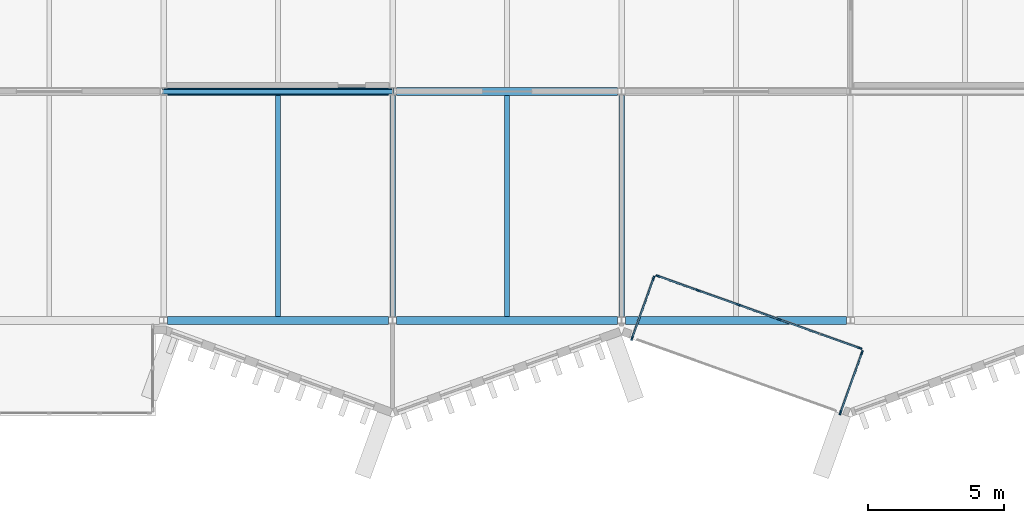
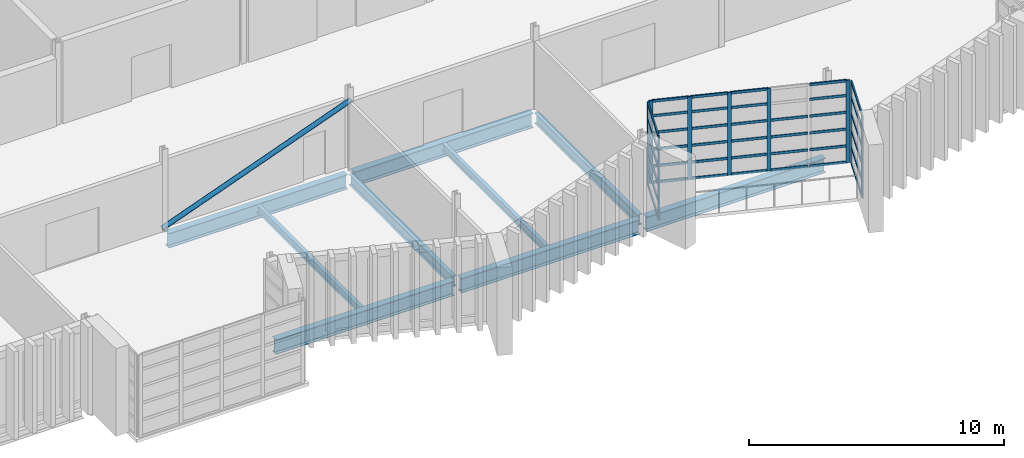
# One storey, part 28 of 88: 50 members, 9 beams, 3 elements without a shape of their own.
"""IFC4 building model written with IfcOpenShell, lengths in metres."""

from ifc_helpers import new_model, si_unit, direction, frame, origin, origin_2d, place, context, subcontext, project, spatial, rectangle, hollow_circle, i_section, extrude, material, layer, layer_set, material_profile, profile_set, type_object, element, aggregate, save


model = new_model("IFC4")

# Units and contexts
model_context = context("Model", 3, precision=1e-05, world=origin(), true_north=direction((0.0, 1.0)))
body_context = subcontext(model_context, "Body", "Model", "MODEL_VIEW")
ifc_project = project(units=[si_unit("LENGTHUNIT", "METRE"), si_unit("AREAUNIT", "SQUARE_METRE"), si_unit("VOLUMEUNIT", "CUBIC_METRE"), si_unit("PLANEANGLEUNIT", "RADIAN"), si_unit("MASSUNIT", "GRAM", prefix="KILO")], contexts=[model_context])

# Site, building, storey
site_placement = place(None, origin())
site = spatial("IfcSite", under=ifc_project, at=site_placement, CompositionType="ELEMENT")
building_placement = place(site_placement, origin())
building = spatial("IfcBuilding", under=site, at=building_placement, Name="Cresset Court Congress Hotel", CompositionType="ELEMENT")
storey_placement = place(building_placement, frame((0.0, 0.0, 14.39990234375)))
storey = spatial("IfcBuildingStorey", under=building, at=storey_placement, Name="L03", CompositionType="ELEMENT", Elevation=14.39990234375)

# Curtain wall, members
ifc_material_1 = material(Name="Aluminium frame with double glazing", Category="aluminium")
ifc_layer = layer(ifc_material_1, 0.199951171875)
ifc_layer_set = layer_set([ifc_layer], Name="Glazed box curtain wall 1680 module")
curtain_wall_type = type_object("IfcCurtainWallType", Name="Glazed box curtain wall 1680 module", PredefinedType="NOTDEFINED", material=ifc_layer_set)
curtain_wall_1_placement = place(storey_placement, origin())
curtain_wall_1 = element("IfcCurtainWall", 1, at=curtain_wall_1_placement, inside=storey, type_object=curtain_wall_type, Name="Glazed box S0317 front", PredefinedType="NOTDEFINED")
ifc_material_2 = material(Name="Aluminium", Category="aluminium")
ifc_material_profile_1 = material_profile(ifc_material_2, rectangle(XDim=0.06005859375, YDim=0.159912109375, at=origin_2d()), Name="Box mullion 60x160")
ifc_profile_set_1 = profile_set([ifc_material_profile_1], Name="Aluminium")
member_type_1 = type_object("IfcMemberType", Name="Box mullion 60x160", PredefinedType="MULLION", material=ifc_profile_set_1)
member_1_placement = place(storey_placement, frame((118.93994140625, 1.6259765625, 0.0), z_axis=(0.0, 0.0, 1.0), x_axis=(0.336336396981, 0.941741911601, 0.0)))
member_1 = element("IfcMember", 2, at=member_1_placement, type_object=member_type_1, Name="B-X1 mullion 1", PredefinedType="MULLION", context=body_context, shape_type="SweptSolid", body=[
    extrude(rectangle(XDim=0.06005859375, YDim=0.159912109375, at=origin_2d()), origin(), (0.0, 0.0, 1.0), 3.9501953125),
])
member_2_placement = place(storey_placement, frame((120.4033203125, 1.103515625, 0.0), z_axis=(0.0, 0.0, 1.0), x_axis=(0.336336396981, 0.941741911601, 0.0)))
member_2 = element("IfcMember", 3, at=member_2_placement, type_object=member_type_1, Name="B-X1 mullion 2", PredefinedType="MULLION", context=body_context, shape_type="SweptSolid", body=[
    extrude(rectangle(XDim=0.06005859375, YDim=0.159912109375, at=origin_2d()), origin(), (0.0, 0.0, 1.0), 3.9501953125),
])
member_3_placement = place(storey_placement, frame((121.89501953125, 0.57080078125, 0.0), z_axis=(0.0, 0.0, 1.0), x_axis=(0.336336396981, 0.941741911601, 0.0)))
member_3 = element("IfcMember", 4, at=member_3_placement, type_object=member_type_1, Name="B-X1 mullion 3", PredefinedType="MULLION", context=body_context, shape_type="SweptSolid", body=[
    extrude(rectangle(XDim=0.06005859375, YDim=0.159912109375, at=origin_2d()), origin(), (0.0, 0.0, 1.0), 3.9501953125),
])
member_4_placement = place(storey_placement, frame((123.38671875, 0.0380859375, 0.0), z_axis=(0.0, 0.0, 1.0), x_axis=(0.336336396981, 0.941741911601, 0.0)))
member_4 = element("IfcMember", 5, at=member_4_placement, type_object=member_type_1, Name="B-X1 mullion 4", PredefinedType="MULLION", context=body_context, shape_type="SweptSolid", body=[
    extrude(rectangle(XDim=0.06005859375, YDim=0.159912109375, at=origin_2d()), origin(), (0.0, 0.0, 1.0), 3.9501953125),
])
member_5_placement = place(storey_placement, frame((126.341796875, -1.017333984375, 0.0), z_axis=(0.0, 0.0, 1.0), x_axis=(0.336336396981, 0.941741911601, 0.0)))
member_5 = element("IfcMember", 6, at=member_5_placement, type_object=member_type_1, Name="B-X1 mullion 6", PredefinedType="MULLION", context=body_context, shape_type="SweptSolid", body=[
    extrude(rectangle(XDim=0.06005859375, YDim=0.159912109375, at=origin_2d()), origin(), (0.0, 0.0, 1.0), 3.9501953125),
])

curtain_wall_2_placement = place(storey_placement, origin())
curtain_wall_2 = element("IfcCurtainWall", 7, at=curtain_wall_2_placement, inside=storey, type_object=curtain_wall_type, Name="Glazed box S0317 side", PredefinedType="NOTDEFINED")
member_6_placement = place(storey_placement, frame((117.98681640625, -0.65625, 0.0), z_axis=(0.0, 0.0, 1.0), x_axis=(-0.941741911707, 0.336336396685, 0.0)))
member_6 = element("IfcMember", 8, at=member_6_placement, type_object=member_type_1, Name="B-X1 mullion 1", PredefinedType="MULLION", context=body_context, shape_type="SweptSolid", body=[
    extrude(rectangle(XDim=0.06005859375, YDim=0.159912109375, at=origin_2d()), origin(), (0.0, 0.0, 1.0), 3.9501953125),
])
member_7_placement = place(storey_placement, frame((118.77392578125, 1.54736328125, 0.0), z_axis=(0.0, 0.0, 1.0), x_axis=(-0.941741911707, 0.336336396685, 0.0)))
member_7 = element("IfcMember", 9, at=member_7_placement, type_object=member_type_1, Name="B-X1 mullion 2", PredefinedType="MULLION", context=body_context, shape_type="SweptSolid", body=[
    extrude(rectangle(XDim=0.06005859375, YDim=0.159912109375, at=origin_2d()), origin(), (0.0, 0.0, 1.0), 3.9501953125),
])

curtain_wall_3_placement = place(storey_placement, origin())
curtain_wall_3 = element("IfcCurtainWall", 10, at=curtain_wall_3_placement, inside=storey, type_object=curtain_wall_type, Name="Glazed box S0317 side", PredefinedType="NOTDEFINED")
member_8_placement = place(storey_placement, frame((125.63330078125, -3.38720703125, 0.0), z_axis=(0.0, 0.0, 1.0), x_axis=(-0.941741911578, 0.336336397047, 0.0)))
member_8 = element("IfcMember", 11, at=member_8_placement, type_object=member_type_1, Name="B-X1 mullion 1", PredefinedType="MULLION", context=body_context, shape_type="SweptSolid", body=[
    extrude(rectangle(XDim=0.06005859375, YDim=0.159912109375, at=origin_2d()), origin(), (0.0, 0.0, 1.0), 3.9501953125),
])
member_9_placement = place(storey_placement, frame((126.42041015625, -1.18359375, 0.0), z_axis=(0.0, 0.0, 1.0), x_axis=(-0.941741911578, 0.336336397047, 0.0)))
member_9 = element("IfcMember", 12, at=member_9_placement, type_object=member_type_1, Name="B-X1 mullion 2", PredefinedType="MULLION", context=body_context, shape_type="SweptSolid", body=[
    extrude(rectangle(XDim=0.06005859375, YDim=0.159912109375, at=origin_2d()), origin(), (0.0, 0.0, 1.0), 3.9501953125),
])

# Member
ifc_material_3 = material(Name="Aluminium", Category="aluminium")
ifc_material_profile_2 = material_profile(ifc_material_3, rectangle(XDim=0.06005859375, YDim=0.1201171875, at=origin_2d()), Name="Box transom 60x120")
ifc_profile_set_2 = profile_set([ifc_material_profile_2], Name="Aluminium")
member_type_2 = type_object("IfcMemberType", Name="Box transom 60x120", PredefinedType="USERDEFINED", material=ifc_profile_set_2)
member_10_placement = place(storey_placement, frame((118.96826171875, 1.615966796875, 0.030029296875), z_axis=(0.941734515945, -0.336357104098, 0.0), x_axis=(0.336357104098, 0.941734515945, 0.0)))
member_10 = element("IfcMember", 13, at=member_10_placement, type_object=member_type_2, Name="B-X1 transom 1.1", ObjectType="TRANSOM", PredefinedType="USERDEFINED", context=body_context, shape_type="SweptSolid", body=[
    extrude(rectangle(XDim=0.06005859375, YDim=0.1201171875, at=origin_2d()), origin(), (0.0, 0.0, 1.0), 1.49365234375),
])

member_11_placement = place(storey_placement, frame((118.96826171875, 1.615966796875, 0.80517578125), z_axis=(0.941734515945, -0.336357104098, 0.0), x_axis=(0.336357104098, 0.941734515945, 0.0)))
member_11 = element("IfcMember", 14, at=member_11_placement, type_object=member_type_2, Name="B-X1 transom 1.2", ObjectType="TRANSOM", PredefinedType="USERDEFINED", context=body_context, shape_type="SweptSolid", body=[
    extrude(rectangle(XDim=0.06005859375, YDim=0.1201171875, at=origin_2d()), origin(), (0.0, 0.0, 1.0), 1.49365234375),
])

member_12_placement = place(storey_placement, frame((118.96826171875, 1.615966796875, 1.610107421875), z_axis=(0.941734515945, -0.336357104098, 0.0), x_axis=(0.336357104098, 0.941734515945, 0.0)))
member_12 = element("IfcMember", 15, at=member_12_placement, type_object=member_type_2, Name="B-X1 transom 1.3", ObjectType="TRANSOM", PredefinedType="USERDEFINED", context=body_context, shape_type="SweptSolid", body=[
    extrude(rectangle(XDim=0.06005859375, YDim=0.1201171875, at=origin_2d()), origin(), (0.0, 0.0, 1.0), 1.49365234375),
])

member_13_placement = place(storey_placement, frame((118.96826171875, 1.615966796875, 2.4150390625), z_axis=(0.941734515945, -0.336357104098, 0.0), x_axis=(0.336357104098, 0.941734515945, 0.0)))
member_13 = element("IfcMember", 16, at=member_13_placement, type_object=member_type_2, Name="B-X1 transom 1.4", ObjectType="TRANSOM", PredefinedType="USERDEFINED", context=body_context, shape_type="SweptSolid", body=[
    extrude(rectangle(XDim=0.06005859375, YDim=0.1201171875, at=origin_2d()), origin(), (0.0, 0.0, 1.0), 1.49365234375),
])

member_14_placement = place(storey_placement, frame((118.96826171875, 1.615966796875, 3.22021484375), z_axis=(0.941734515945, -0.336357104098, 0.0), x_axis=(0.336357104098, 0.941734515945, 0.0)))
member_14 = element("IfcMember", 17, at=member_14_placement, type_object=member_type_2, Name="B-X1 transom 1.5", ObjectType="TRANSOM", PredefinedType="USERDEFINED", context=body_context, shape_type="SweptSolid", body=[
    extrude(rectangle(XDim=0.06005859375, YDim=0.1201171875, at=origin_2d()), origin(), (0.0, 0.0, 1.0), 1.49365234375),
])

member_15_placement = place(storey_placement, frame((118.96826171875, 1.615966796875, 3.920166015625), z_axis=(0.941734515945, -0.336357104098, 0.0), x_axis=(0.336357104098, 0.941734515945, 0.0)))
member_15 = element("IfcMember", 18, at=member_15_placement, type_object=member_type_2, Name="B-X1 transom 1.6", ObjectType="TRANSOM", PredefinedType="USERDEFINED", context=body_context, shape_type="SweptSolid", body=[
    extrude(rectangle(XDim=0.06005859375, YDim=0.1201171875, at=origin_2d()), origin(), (0.0, 0.0, 1.0), 1.49365234375),
])

member_16_placement = place(storey_placement, frame((120.431640625, 1.09326171875, 0.030029296875), z_axis=(0.941756410009, -0.336295798675, 0.0), x_axis=(0.336295798675, 0.941756410009, 0.0)))
member_16 = element("IfcMember", 19, at=member_16_placement, type_object=member_type_2, Name="B-X1 transom 2.1", ObjectType="TRANSOM", PredefinedType="USERDEFINED", context=body_context, shape_type="SweptSolid", body=[
    extrude(rectangle(XDim=0.06005859375, YDim=0.1201171875, at=origin_2d()), origin(), (0.0, 0.0, 1.0), 1.52392578125),
])

member_17_placement = place(storey_placement, frame((120.431640625, 1.09326171875, 0.80517578125), z_axis=(0.941756410009, -0.336295798675, 0.0), x_axis=(0.336295798675, 0.941756410009, 0.0)))
member_17 = element("IfcMember", 20, at=member_17_placement, type_object=member_type_2, Name="B-X1 transom 2.2", ObjectType="TRANSOM", PredefinedType="USERDEFINED", context=body_context, shape_type="SweptSolid", body=[
    extrude(rectangle(XDim=0.06005859375, YDim=0.1201171875, at=origin_2d()), origin(), (0.0, 0.0, 1.0), 1.52392578125),
])

member_18_placement = place(storey_placement, frame((120.431640625, 1.09326171875, 1.610107421875), z_axis=(0.941756410009, -0.336295798675, 0.0), x_axis=(0.336295798675, 0.941756410009, 0.0)))
member_18 = element("IfcMember", 21, at=member_18_placement, type_object=member_type_2, Name="B-X1 transom 2.3", ObjectType="TRANSOM", PredefinedType="USERDEFINED", context=body_context, shape_type="SweptSolid", body=[
    extrude(rectangle(XDim=0.06005859375, YDim=0.1201171875, at=origin_2d()), origin(), (0.0, 0.0, 1.0), 1.52392578125),
])

member_19_placement = place(storey_placement, frame((120.431640625, 1.09326171875, 2.4150390625), z_axis=(0.941756410009, -0.336295798675, 0.0), x_axis=(0.336295798675, 0.941756410009, 0.0)))
member_19 = element("IfcMember", 22, at=member_19_placement, type_object=member_type_2, Name="B-X1 transom 2.4", ObjectType="TRANSOM", PredefinedType="USERDEFINED", context=body_context, shape_type="SweptSolid", body=[
    extrude(rectangle(XDim=0.06005859375, YDim=0.1201171875, at=origin_2d()), origin(), (0.0, 0.0, 1.0), 1.52392578125),
])

member_20_placement = place(storey_placement, frame((120.431640625, 1.09326171875, 3.22021484375), z_axis=(0.941756410009, -0.336295798675, 0.0), x_axis=(0.336295798675, 0.941756410009, 0.0)))
member_20 = element("IfcMember", 23, at=member_20_placement, type_object=member_type_2, Name="B-X1 transom 2.5", ObjectType="TRANSOM", PredefinedType="USERDEFINED", context=body_context, shape_type="SweptSolid", body=[
    extrude(rectangle(XDim=0.06005859375, YDim=0.1201171875, at=origin_2d()), origin(), (0.0, 0.0, 1.0), 1.52392578125),
])

member_21_placement = place(storey_placement, frame((120.431640625, 1.09326171875, 3.920166015625), z_axis=(0.941756410009, -0.336295798675, 0.0), x_axis=(0.336295798675, 0.941756410009, 0.0)))
member_21 = element("IfcMember", 24, at=member_21_placement, type_object=member_type_2, Name="B-X1 transom 2.6", ObjectType="TRANSOM", PredefinedType="USERDEFINED", context=body_context, shape_type="SweptSolid", body=[
    extrude(rectangle(XDim=0.06005859375, YDim=0.1201171875, at=origin_2d()), origin(), (0.0, 0.0, 1.0), 1.52392578125),
])

member_22_placement = place(storey_placement, frame((121.92333984375, 0.560546875, 0.030029296875), z_axis=(0.941756410009, -0.336295798675, 0.0), x_axis=(0.336295798675, 0.941756410009, 0.0)))
member_22 = element("IfcMember", 25, at=member_22_placement, type_object=member_type_2, Name="B-X1 transom 3.1", ObjectType="TRANSOM", PredefinedType="USERDEFINED", context=body_context, shape_type="SweptSolid", body=[
    extrude(rectangle(XDim=0.06005859375, YDim=0.1201171875, at=origin_2d()), origin(), (0.0, 0.0, 1.0), 1.52392578125),
])

member_23_placement = place(storey_placement, frame((121.92333984375, 0.560546875, 0.80517578125), z_axis=(0.941756410009, -0.336295798675, 0.0), x_axis=(0.336295798675, 0.941756410009, 0.0)))
member_23 = element("IfcMember", 26, at=member_23_placement, type_object=member_type_2, Name="B-X1 transom 3.2", ObjectType="TRANSOM", PredefinedType="USERDEFINED", context=body_context, shape_type="SweptSolid", body=[
    extrude(rectangle(XDim=0.06005859375, YDim=0.1201171875, at=origin_2d()), origin(), (0.0, 0.0, 1.0), 1.52392578125),
])

member_24_placement = place(storey_placement, frame((121.92333984375, 0.560546875, 1.610107421875), z_axis=(0.941756410009, -0.336295798675, 0.0), x_axis=(0.336295798675, 0.941756410009, 0.0)))
member_24 = element("IfcMember", 27, at=member_24_placement, type_object=member_type_2, Name="B-X1 transom 3.3", ObjectType="TRANSOM", PredefinedType="USERDEFINED", context=body_context, shape_type="SweptSolid", body=[
    extrude(rectangle(XDim=0.06005859375, YDim=0.1201171875, at=origin_2d()), origin(), (0.0, 0.0, 1.0), 1.52392578125),
])

member_25_placement = place(storey_placement, frame((121.92333984375, 0.560546875, 2.4150390625), z_axis=(0.941756410009, -0.336295798675, 0.0), x_axis=(0.336295798675, 0.941756410009, 0.0)))
member_25 = element("IfcMember", 28, at=member_25_placement, type_object=member_type_2, Name="B-X1 transom 3.4", ObjectType="TRANSOM", PredefinedType="USERDEFINED", context=body_context, shape_type="SweptSolid", body=[
    extrude(rectangle(XDim=0.06005859375, YDim=0.1201171875, at=origin_2d()), origin(), (0.0, 0.0, 1.0), 1.52392578125),
])

member_26_placement = place(storey_placement, frame((121.92333984375, 0.560546875, 3.22021484375), z_axis=(0.941756410009, -0.336295798675, 0.0), x_axis=(0.336295798675, 0.941756410009, 0.0)))
member_26 = element("IfcMember", 29, at=member_26_placement, type_object=member_type_2, Name="B-X1 transom 3.5", ObjectType="TRANSOM", PredefinedType="USERDEFINED", context=body_context, shape_type="SweptSolid", body=[
    extrude(rectangle(XDim=0.06005859375, YDim=0.1201171875, at=origin_2d()), origin(), (0.0, 0.0, 1.0), 1.52392578125),
])

member_27_placement = place(storey_placement, frame((121.92333984375, 0.560546875, 3.920166015625), z_axis=(0.941756410009, -0.336295798675, 0.0), x_axis=(0.336295798675, 0.941756410009, 0.0)))
member_27 = element("IfcMember", 30, at=member_27_placement, type_object=member_type_2, Name="B-X1 transom 3.6", ObjectType="TRANSOM", PredefinedType="USERDEFINED", context=body_context, shape_type="SweptSolid", body=[
    extrude(rectangle(XDim=0.06005859375, YDim=0.1201171875, at=origin_2d()), origin(), (0.0, 0.0, 1.0), 1.52392578125),
])

member_28_placement = place(storey_placement, frame((123.4150390625, 0.02783203125, 0.030029296875), z_axis=(0.941756410009, -0.336295798675, 0.0), x_axis=(0.336295798675, 0.941756410009, 0.0)))
member_28 = element("IfcMember", 31, at=member_28_placement, type_object=member_type_2, Name="B-X1 transom 4.1", ObjectType="TRANSOM", PredefinedType="USERDEFINED", context=body_context, shape_type="SweptSolid", body=[
    extrude(rectangle(XDim=0.06005859375, YDim=0.1201171875, at=origin_2d()), origin(), (0.0, 0.0, 1.0), 1.52392578125),
])

member_29_placement = place(storey_placement, frame((123.4150390625, 0.02783203125, 0.80517578125), z_axis=(0.941756410009, -0.336295798675, 0.0), x_axis=(0.336295798675, 0.941756410009, 0.0)))
member_29 = element("IfcMember", 32, at=member_29_placement, type_object=member_type_2, Name="B-X1 transom 4.2", ObjectType="TRANSOM", PredefinedType="USERDEFINED", context=body_context, shape_type="SweptSolid", body=[
    extrude(rectangle(XDim=0.06005859375, YDim=0.1201171875, at=origin_2d()), origin(), (0.0, 0.0, 1.0), 1.52392578125),
])

member_30_placement = place(storey_placement, frame((123.4150390625, 0.02783203125, 1.610107421875), z_axis=(0.941756410009, -0.336295798675, 0.0), x_axis=(0.336295798675, 0.941756410009, 0.0)))
member_30 = element("IfcMember", 33, at=member_30_placement, type_object=member_type_2, Name="B-X1 transom 4.3", ObjectType="TRANSOM", PredefinedType="USERDEFINED", context=body_context, shape_type="SweptSolid", body=[
    extrude(rectangle(XDim=0.06005859375, YDim=0.1201171875, at=origin_2d()), origin(), (0.0, 0.0, 1.0), 1.52392578125),
])

member_31_placement = place(storey_placement, frame((123.4150390625, 0.02783203125, 2.4150390625), z_axis=(0.941756410009, -0.336295798675, 0.0), x_axis=(0.336295798675, 0.941756410009, 0.0)))
member_31 = element("IfcMember", 34, at=member_31_placement, type_object=member_type_2, Name="B-X1 transom 4.4", ObjectType="TRANSOM", PredefinedType="USERDEFINED", context=body_context, shape_type="SweptSolid", body=[
    extrude(rectangle(XDim=0.06005859375, YDim=0.1201171875, at=origin_2d()), origin(), (0.0, 0.0, 1.0), 1.52392578125),
])

member_32_placement = place(storey_placement, frame((124.906494140625, -0.5048828125, 0.030029296875), z_axis=(0.941753002509, -0.336305340823, 0.0), x_axis=(0.336305340823, 0.941753002509, 0.0)))
member_32 = element("IfcMember", 35, at=member_32_placement, type_object=member_type_2, Name="B-X1 transom 5.1", ObjectType="TRANSOM", PredefinedType="USERDEFINED", context=body_context, shape_type="SweptSolid", body=[
    extrude(rectangle(XDim=0.06005859375, YDim=0.1201171875, at=origin_2d()), origin(), (0.0, 0.0, 1.0), 1.493896484375),
])

member_33_placement = place(storey_placement, frame((124.906494140625, -0.5048828125, 0.80517578125), z_axis=(0.941753002509, -0.336305340823, 0.0), x_axis=(0.336305340823, 0.941753002509, 0.0)))
member_33 = element("IfcMember", 36, at=member_33_placement, type_object=member_type_2, Name="B-X1 transom 5.2", ObjectType="TRANSOM", PredefinedType="USERDEFINED", context=body_context, shape_type="SweptSolid", body=[
    extrude(rectangle(XDim=0.06005859375, YDim=0.1201171875, at=origin_2d()), origin(), (0.0, 0.0, 1.0), 1.493896484375),
])

member_34_placement = place(storey_placement, frame((124.906494140625, -0.5048828125, 1.610107421875), z_axis=(0.941753002509, -0.336305340823, 0.0), x_axis=(0.336305340823, 0.941753002509, 0.0)))
member_34 = element("IfcMember", 37, at=member_34_placement, type_object=member_type_2, Name="B-X1 transom 5.3", ObjectType="TRANSOM", PredefinedType="USERDEFINED", context=body_context, shape_type="SweptSolid", body=[
    extrude(rectangle(XDim=0.06005859375, YDim=0.1201171875, at=origin_2d()), origin(), (0.0, 0.0, 1.0), 1.493896484375),
])

member_35_placement = place(storey_placement, frame((124.906494140625, -0.5048828125, 2.4150390625), z_axis=(0.941753002509, -0.336305340823, 0.0), x_axis=(0.336305340823, 0.941753002509, 0.0)))
member_35 = element("IfcMember", 38, at=member_35_placement, type_object=member_type_2, Name="B-X1 transom 5.4", ObjectType="TRANSOM", PredefinedType="USERDEFINED", context=body_context, shape_type="SweptSolid", body=[
    extrude(rectangle(XDim=0.06005859375, YDim=0.1201171875, at=origin_2d()), origin(), (0.0, 0.0, 1.0), 1.493896484375),
])

member_36_placement = place(storey_placement, frame((124.906494140625, -0.5048828125, 3.22021484375), z_axis=(0.941753002509, -0.336305340823, 0.0), x_axis=(0.336305340823, 0.941753002509, 0.0)))
member_36 = element("IfcMember", 39, at=member_36_placement, type_object=member_type_2, Name="B-X1 transom 5.5", ObjectType="TRANSOM", PredefinedType="USERDEFINED", context=body_context, shape_type="SweptSolid", body=[
    extrude(rectangle(XDim=0.06005859375, YDim=0.1201171875, at=origin_2d()), origin(), (0.0, 0.0, 1.0), 1.493896484375),
])

member_37_placement = place(storey_placement, frame((124.906494140625, -0.5048828125, 3.920166015625), z_axis=(0.941753002509, -0.336305340823, 0.0), x_axis=(0.336305340823, 0.941753002509, 0.0)))
member_37 = element("IfcMember", 40, at=member_37_placement, type_object=member_type_2, Name="B-X1 transom 5.6", ObjectType="TRANSOM", PredefinedType="USERDEFINED", context=body_context, shape_type="SweptSolid", body=[
    extrude(rectangle(XDim=0.06005859375, YDim=0.1201171875, at=origin_2d()), origin(), (0.0, 0.0, 1.0), 1.493896484375),
])

aggregate(curtain_wall_1, [member_1, member_2, member_3, member_4, member_5, member_10, member_11, member_12, member_13, member_14, member_15, member_16, member_17, member_18, member_19, member_20, member_21, member_22, member_23, member_24, member_25, member_26, member_27, member_28, member_29, member_30, member_31, member_32, member_33, member_34, member_35, member_36, member_37])

member_38_placement = place(storey_placement, frame((117.996826171875, -0.6279296875, 0.030029296875), z_axis=(0.336363532289, 0.941732219979, 0.0), x_axis=(-0.941732219979, 0.336363532289, 0.0)))
member_38 = element("IfcMember", 41, at=member_38_placement, type_object=member_type_2, Name="B-X1 transom 1.1", ObjectType="TRANSOM", PredefinedType="USERDEFINED", context=body_context, shape_type="SweptSolid", body=[
    extrude(rectangle(XDim=0.06005859375, YDim=0.1201171875, at=origin_2d()), origin(), (0.0, 0.0, 1.0), 2.27978515625),
])

member_39_placement = place(storey_placement, frame((117.996826171875, -0.6279296875, 0.80517578125), z_axis=(0.336363532289, 0.941732219979, 0.0), x_axis=(-0.941732219979, 0.336363532289, 0.0)))
member_39 = element("IfcMember", 42, at=member_39_placement, type_object=member_type_2, Name="B-X1 transom 1.2", ObjectType="TRANSOM", PredefinedType="USERDEFINED", context=body_context, shape_type="SweptSolid", body=[
    extrude(rectangle(XDim=0.06005859375, YDim=0.1201171875, at=origin_2d()), origin(), (0.0, 0.0, 1.0), 2.27978515625),
])

member_40_placement = place(storey_placement, frame((117.996826171875, -0.6279296875, 1.610107421875), z_axis=(0.336363532289, 0.941732219979, 0.0), x_axis=(-0.941732219979, 0.336363532289, 0.0)))
member_40 = element("IfcMember", 43, at=member_40_placement, type_object=member_type_2, Name="B-X1 transom 1.3", ObjectType="TRANSOM", PredefinedType="USERDEFINED", context=body_context, shape_type="SweptSolid", body=[
    extrude(rectangle(XDim=0.06005859375, YDim=0.1201171875, at=origin_2d()), origin(), (0.0, 0.0, 1.0), 2.27978515625),
])

member_41_placement = place(storey_placement, frame((117.996826171875, -0.6279296875, 2.4150390625), z_axis=(0.336363532289, 0.941732219979, 0.0), x_axis=(-0.941732219979, 0.336363532289, 0.0)))
member_41 = element("IfcMember", 44, at=member_41_placement, type_object=member_type_2, Name="B-X1 transom 1.4", ObjectType="TRANSOM", PredefinedType="USERDEFINED", context=body_context, shape_type="SweptSolid", body=[
    extrude(rectangle(XDim=0.06005859375, YDim=0.1201171875, at=origin_2d()), origin(), (0.0, 0.0, 1.0), 2.27978515625),
])

member_42_placement = place(storey_placement, frame((117.996826171875, -0.6279296875, 3.22021484375), z_axis=(0.336363532289, 0.941732219979, 0.0), x_axis=(-0.941732219979, 0.336363532289, 0.0)))
member_42 = element("IfcMember", 45, at=member_42_placement, type_object=member_type_2, Name="B-X1 transom 1.5", ObjectType="TRANSOM", PredefinedType="USERDEFINED", context=body_context, shape_type="SweptSolid", body=[
    extrude(rectangle(XDim=0.06005859375, YDim=0.1201171875, at=origin_2d()), origin(), (0.0, 0.0, 1.0), 2.27978515625),
])

member_43_placement = place(storey_placement, frame((117.996826171875, -0.6279296875, 3.920166015625), z_axis=(0.336363532289, 0.941732219979, 0.0), x_axis=(-0.941732219979, 0.336363532289, 0.0)))
member_43 = element("IfcMember", 46, at=member_43_placement, type_object=member_type_2, Name="B-X1 transom 1.6", ObjectType="TRANSOM", PredefinedType="USERDEFINED", context=body_context, shape_type="SweptSolid", body=[
    extrude(rectangle(XDim=0.06005859375, YDim=0.1201171875, at=origin_2d()), origin(), (0.0, 0.0, 1.0), 2.27978515625),
])

aggregate(curtain_wall_2, [member_6, member_7, member_38, member_39, member_40, member_41, member_42, member_43])

member_44_placement = place(storey_placement, frame((125.6435546875, -3.35888671875, 0.030029296875), z_axis=(0.336329613816, 0.941744334132, 0.0), x_axis=(-0.941744334132, 0.336329613816, 0.0)))
member_44 = element("IfcMember", 47, at=member_44_placement, type_object=member_type_2, Name="B-X1 transom 1.1", ObjectType="TRANSOM", PredefinedType="USERDEFINED", context=body_context, shape_type="SweptSolid", body=[
    extrude(rectangle(XDim=0.06005859375, YDim=0.1201171875, at=origin_2d()), origin(), (0.0, 0.0, 1.0), 2.280029296875),
])

member_45_placement = place(storey_placement, frame((125.6435546875, -3.35888671875, 0.80517578125), z_axis=(0.336329613816, 0.941744334132, 0.0), x_axis=(-0.941744334132, 0.336329613816, 0.0)))
member_45 = element("IfcMember", 48, at=member_45_placement, type_object=member_type_2, Name="B-X1 transom 1.2", ObjectType="TRANSOM", PredefinedType="USERDEFINED", context=body_context, shape_type="SweptSolid", body=[
    extrude(rectangle(XDim=0.06005859375, YDim=0.1201171875, at=origin_2d()), origin(), (0.0, 0.0, 1.0), 2.280029296875),
])

member_46_placement = place(storey_placement, frame((125.6435546875, -3.35888671875, 1.610107421875), z_axis=(0.336329613816, 0.941744334132, 0.0), x_axis=(-0.941744334132, 0.336329613816, 0.0)))
member_46 = element("IfcMember", 49, at=member_46_placement, type_object=member_type_2, Name="B-X1 transom 1.3", ObjectType="TRANSOM", PredefinedType="USERDEFINED", context=body_context, shape_type="SweptSolid", body=[
    extrude(rectangle(XDim=0.06005859375, YDim=0.1201171875, at=origin_2d()), origin(), (0.0, 0.0, 1.0), 2.280029296875),
])

member_47_placement = place(storey_placement, frame((125.6435546875, -3.35888671875, 2.4150390625), z_axis=(0.336329613816, 0.941744334132, 0.0), x_axis=(-0.941744334132, 0.336329613816, 0.0)))
member_47 = element("IfcMember", 50, at=member_47_placement, type_object=member_type_2, Name="B-X1 transom 1.4", ObjectType="TRANSOM", PredefinedType="USERDEFINED", context=body_context, shape_type="SweptSolid", body=[
    extrude(rectangle(XDim=0.06005859375, YDim=0.1201171875, at=origin_2d()), origin(), (0.0, 0.0, 1.0), 2.280029296875),
])

member_48_placement = place(storey_placement, frame((125.6435546875, -3.35888671875, 3.22021484375), z_axis=(0.336329613816, 0.941744334132, 0.0), x_axis=(-0.941744334132, 0.336329613816, 0.0)))
member_48 = element("IfcMember", 51, at=member_48_placement, type_object=member_type_2, Name="B-X1 transom 1.5", ObjectType="TRANSOM", PredefinedType="USERDEFINED", context=body_context, shape_type="SweptSolid", body=[
    extrude(rectangle(XDim=0.06005859375, YDim=0.1201171875, at=origin_2d()), origin(), (0.0, 0.0, 1.0), 2.280029296875),
])

member_49_placement = place(storey_placement, frame((125.6435546875, -3.35888671875, 3.920166015625), z_axis=(0.336329613816, 0.941744334132, 0.0), x_axis=(-0.941744334132, 0.336329613816, 0.0)))
member_49 = element("IfcMember", 52, at=member_49_placement, type_object=member_type_2, Name="B-X1 transom 1.6", ObjectType="TRANSOM", PredefinedType="USERDEFINED", context=body_context, shape_type="SweptSolid", body=[
    extrude(rectangle(XDim=0.06005859375, YDim=0.1201171875, at=origin_2d()), origin(), (0.0, 0.0, 1.0), 2.280029296875),
])

aggregate(curtain_wall_3, [member_8, member_9, member_44, member_45, member_46, member_47, member_48, member_49])

# Beams
ifc_material_4 = material(Name="Structural steel Q355B", Category="steel")
ifc_material_profile_3 = material_profile(ifc_material_4, i_section(OverallWidth=0.199951171875, OverallDepth=0.5, WebThickness=0.010009765625, FlangeThickness=0.01611328125, FilletRadius=0.012939453125, at=origin_2d()), Name="HN500x200x10x16")
ifc_profile_set_3 = profile_set([ifc_material_profile_3], Name="Structural steel Q355B")
beam_type_1 = type_object("IfcBeamType", Name="Steel beam HN500x200x10x16", PredefinedType="BEAM", material=ifc_profile_set_3)
for number, where, z_axis, x_axis, name in (
    (53, (109.199951171875, 0.14990234375, -0.39990234375), (0.0, 1.0, 0.0), (-1.0, 0.0, 0.0), "B.by.L03.14A"),
    (54, (117.60009765625, 0.14990234375, -0.39990234375), (0.0, 1.0, 0.0), (-1.0, 0.0, 0.0), "B.by.L03.15A"),
):
    element("IfcBeam", number, at=place(storey_placement, frame(where, z_axis=z_axis, x_axis=x_axis)), inside=storey, type_object=beam_type_1, Name=name, PredefinedType="BEAM", context=body_context, shape_type="SweptSolid", body=[
        extrude(i_section(OverallWidth=0.199951171875, OverallDepth=0.5, WebThickness=0.010009765625, FlangeThickness=0.01611328125, FilletRadius=0.012939453125, at=origin_2d()), origin(), (0.0, 0.0, 1.0), 8.10009765625),
    ])
ifc_material_5 = material(Name="Structural steel Q355B", Category="steel")
ifc_material_profile_4 = material_profile(ifc_material_5, i_section(OverallWidth=0.300048828125, OverallDepth=0.699951171875, WebThickness=0.012939453125, FlangeThickness=0.02392578125, FilletRadius=0.01806640625, at=origin_2d()), Name="HN700x300x13x24")
ifc_profile_set_4 = profile_set([ifc_material_profile_4], Name="Structural steel Q355B")
beam_type_2 = type_object("IfcBeamType", Name="Steel beam HN700x300x13x24", PredefinedType="BEAM", material=ifc_profile_set_4)
beam_1_placement = place(storey_placement, frame((100.949951171875, 0.0, -0.5), z_axis=(1.0, 0.0, 0.0), x_axis=(0.0, 1.0, 0.0)))
element("IfcBeam", 55, at=beam_1_placement, inside=storey, type_object=beam_type_2, Name="B.bx.L03.A13", PredefinedType="BEAM", context=body_context, shape_type="SweptSolid", body=[
    extrude(i_section(OverallWidth=0.300048828125, OverallDepth=0.699951171875, WebThickness=0.012939453125, FlangeThickness=0.02392578125, FilletRadius=0.01806640625, at=origin_2d()), origin(), (0.0, 0.0, 1.0), 8.10009765625),
])
beam_2_placement = place(storey_placement, frame((109.35009765625, 0.0, -0.5), z_axis=(1.0, 0.0, 0.0), x_axis=(0.0, 1.0, 0.0)))
element("IfcBeam", 56, at=beam_2_placement, inside=storey, type_object=beam_type_2, Name="B.bx.L03.A14", PredefinedType="BEAM", context=body_context, shape_type="SweptSolid", body=[
    extrude(i_section(OverallWidth=0.300048828125, OverallDepth=0.699951171875, WebThickness=0.012939453125, FlangeThickness=0.02392578125, FilletRadius=0.01806640625, at=origin_2d()), origin(), (0.0, 0.0, 1.0), 8.099853515625),
])
for number, where, z_axis, x_axis, name in (
    (57, (117.75, 0.0, -0.5), (1.0, 0.0, 0.0), (0.0, 1.0, 0.0), "B.bx.L03.A15"),
    (58, (100.949951171875, 8.39990234375, -0.5), (1.0, 0.0, 0.0), (0.0, 1.0, 0.0), "B.bx.L03.B13"),
):
    element("IfcBeam", number, at=place(storey_placement, frame(where, z_axis=z_axis, x_axis=x_axis)), inside=storey, type_object=beam_type_2, Name=name, PredefinedType="BEAM", context=body_context, shape_type="SweptSolid", body=[
        extrude(i_section(OverallWidth=0.300048828125, OverallDepth=0.699951171875, WebThickness=0.012939453125, FlangeThickness=0.02392578125, FilletRadius=0.01806640625, at=origin_2d()), origin(), (0.0, 0.0, 1.0), 8.10009765625),
    ])
beam_3_placement = place(storey_placement, frame((109.35009765625, 8.39990234375, -0.5), z_axis=(1.0, 0.0, 0.0), x_axis=(0.0, 1.0, 0.0)))
element("IfcBeam", 59, at=beam_3_placement, inside=storey, type_object=beam_type_2, Name="B.bx.L03.B14", PredefinedType="BEAM", context=body_context, shape_type="SweptSolid", body=[
    extrude(i_section(OverallWidth=0.300048828125, OverallDepth=0.699951171875, WebThickness=0.012939453125, FlangeThickness=0.02392578125, FilletRadius=0.01806640625, at=origin_2d()), origin(), (0.0, 0.0, 1.0), 8.099853515625),
])

# Member
ifc_material_6 = material(Name="Structural steel Q355B", Category="steel")
ifc_material_profile_5 = material_profile(ifc_material_6, hollow_circle(Radius=0.109619140625, WallThickness=0.010009765625, at=origin_2d()), Name="CHS219x10")
ifc_profile_set_5 = profile_set([ifc_material_profile_5], Name="Structural steel Q355B")
member_type_3 = type_object("IfcMemberType", Name="Steel brace CHS219x10", PredefinedType="BRACE", material=ifc_profile_set_5)
member_50_placement = place(storey_placement, frame((100.72509765625, 8.39990234375, 0.10009765625), z_axis=(0.937987304166, 0.0, 0.346669608162), x_axis=(0.0, 1.0, 0.0)))
element("IfcMember", 60, at=member_50_placement, inside=storey, type_object=member_type_3, Name="Brace L03 13", PredefinedType="BRACE", context=body_context, shape_type="SweptSolid", body=[
    extrude(hollow_circle(Radius=0.109619140625, WallThickness=0.010009765625, at=origin_2d()), origin(), (0.0, 0.0, 1.0), 9.114990234375),
])

# Beams
ifc_material_7 = material(Name="Structural steel Q355B", Category="steel")
ifc_material_profile_6 = material_profile(ifc_material_7, i_section(OverallWidth=0.175048828125, OverallDepth=0.35009765625, WebThickness=0.007080078125, FlangeThickness=0.010986328125, FilletRadius=0.012939453125, at=origin_2d()), Name="HN350x175x7x11")
ifc_profile_set_6 = profile_set([ifc_material_profile_6], Name="Structural steel Q355B")
beam_type_3 = type_object("IfcBeamType", Name="Steel joist HN350x175x7x11", PredefinedType="JOIST", material=ifc_profile_set_6)
for number, where, z_axis, x_axis, name in (
    (61, (105.0, 0.14990234375, -0.324951171875), (0.0, 1.0, 0.0), (-1.0, 0.0, 0.0), "B.bj.L03.13A"),
    (62, (113.39990234375, 0.14990234375, -0.324951171875), (0.0, 1.0, 0.0), (-1.0, 0.0, 0.0), "B.bj.L03.14A"),
):
    element("IfcBeam", number, at=place(storey_placement, frame(where, z_axis=z_axis, x_axis=x_axis)), inside=storey, type_object=beam_type_3, Name=name, PredefinedType="JOIST", context=body_context, shape_type="SweptSolid", body=[
        extrude(i_section(OverallWidth=0.175048828125, OverallDepth=0.35009765625, WebThickness=0.007080078125, FlangeThickness=0.010986328125, FilletRadius=0.012939453125, at=origin_2d()), origin(), (0.0, 0.0, 1.0), 8.10009765625),
    ])

save(model, "model.ifc")
